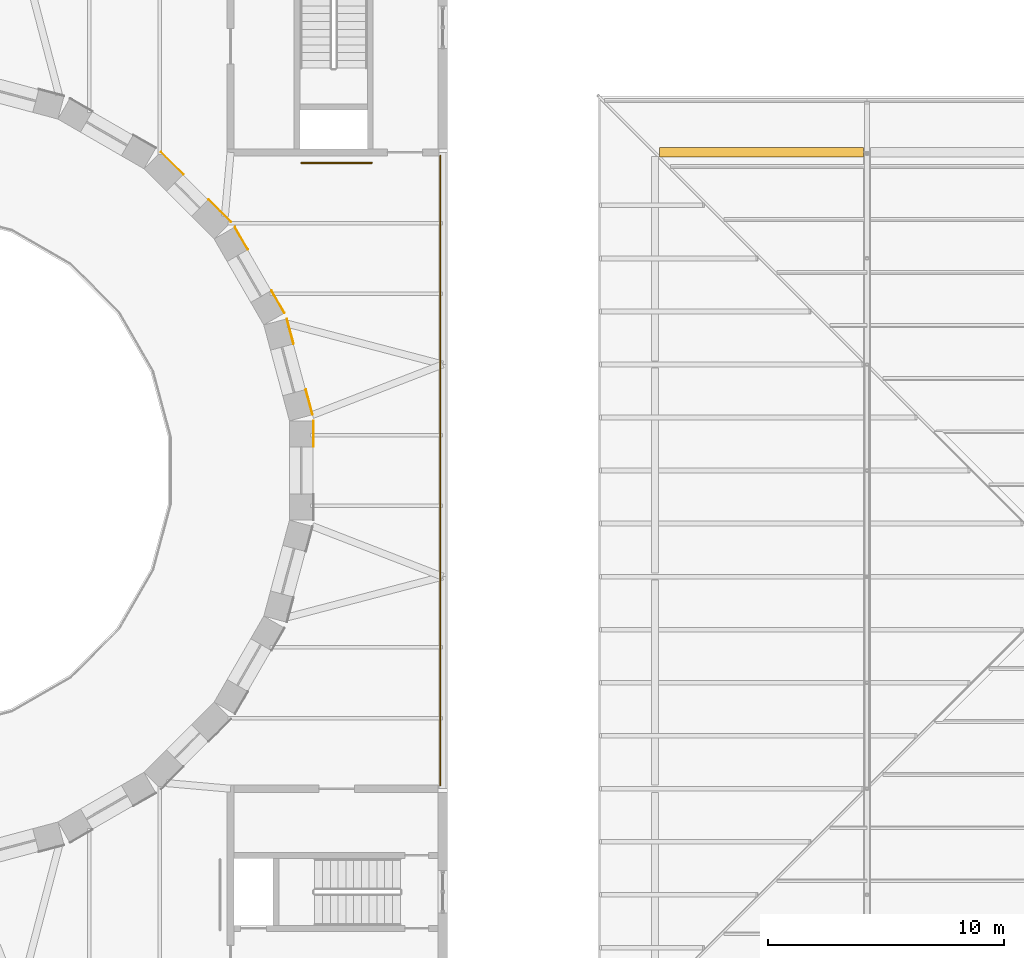
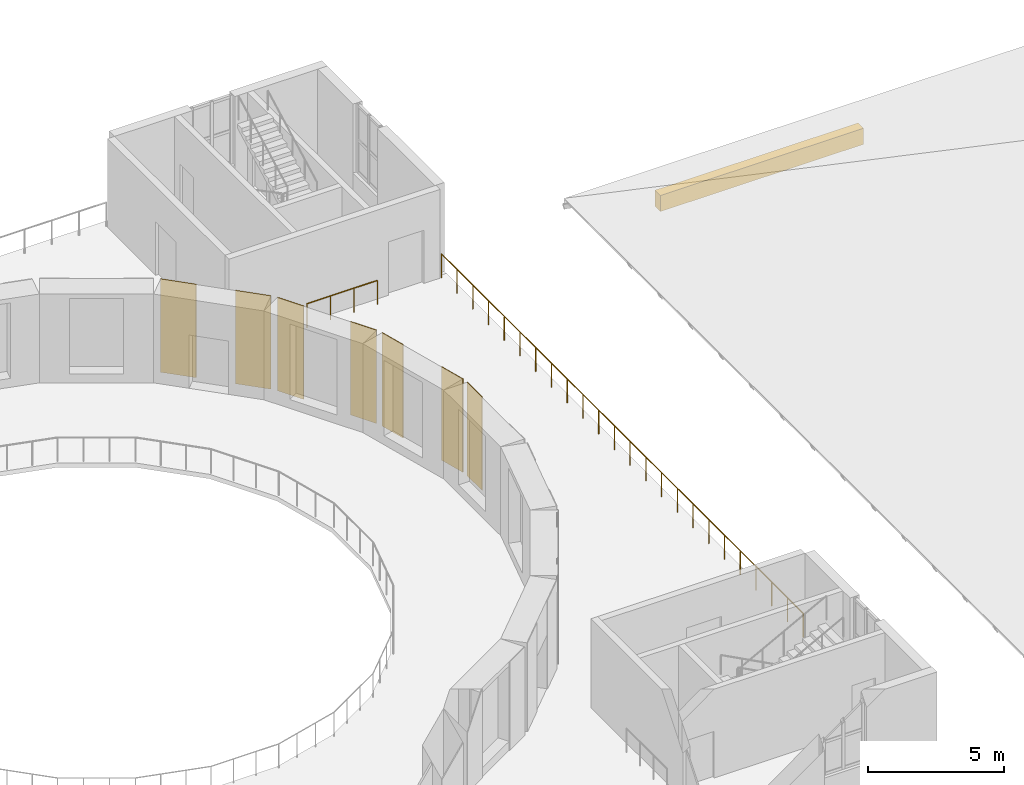
# One storey, part 151 of 154: 8 coverings, 2 railings.
"""IFC4 building model written with IfcOpenShell, lengths in metres."""

from ifc_helpers import new_model, si_unit, direction, frame, origin, origin_2d, place, context, subcontext, project, spatial, polyline, rectangle, circle, outline, extrude, material, layer, layer_set, type_object, element, save


model = new_model("IFC4")

# Units and contexts
model_context = context("Model", 3, precision=1e-05, world=origin(), true_north=direction((0.0, 1.0)))
body_context = subcontext(model_context, "Body", "Model", "MODEL_VIEW")
ifc_project = project(units=[si_unit("LENGTHUNIT", "METRE"), si_unit("AREAUNIT", "SQUARE_METRE"), si_unit("VOLUMEUNIT", "CUBIC_METRE"), si_unit("PLANEANGLEUNIT", "RADIAN"), si_unit("MASSUNIT", "GRAM", prefix="KILO")], contexts=[model_context])

# Site, building, storey
site_placement = place(None, origin())
site = spatial("IfcSite", under=ifc_project, at=site_placement, CompositionType="ELEMENT")
building_placement = place(site_placement, origin())
building = spatial("IfcBuilding", under=site, at=building_placement, Name="Golden Quay Civic Hall", CompositionType="ELEMENT")
storey_placement = place(building_placement, frame((0.0, 0.0, 14.39990234375)))
storey = spatial("IfcBuildingStorey", under=building, at=storey_placement, Name="L03", CompositionType="ELEMENT", Elevation=14.39990234375)

# Coverings
ifc_material_1 = material(Name="Brick, dark clay facing", Category="masonry")
covering_type_1 = type_object("IfcCoveringType", Name="Brick eaves frieze cladding 400", PredefinedType="CLADDING", material=ifc_material_1)
covering_1_placement = place(storey_placement, frame((0.0, 0.0, -0.25)))
element("IfcCovering", 1, at=covering_1_placement, inside=storey, type_object=covering_type_1, Name="Eaves frieze N1", PredefinedType="CLADDING", context=body_context, shape_type="SweptSolid", body=[
    extrude(outline(polyline([(117.199951171875, 98.800048828125), (125.85009765625, 98.800048828125), (125.85009765625, 99.199951171875), (117.199951171875, 99.199951171875), (117.199951171875, 98.800048828125)])), origin(), (0.0, 0.0, 1.0), 0.724609375),
])
ifc_material_2 = material(Name="Ceramic tile")
ifc_layer = layer(ifc_material_2, 0.030029296875)
ifc_layer_set = layer_set([ifc_layer], Name="Ceramic tile cladding, green glaze")
covering_type_2 = type_object("IfcCoveringType", Name="Ceramic tile cladding, green glaze", PredefinedType="CLADDING", material=ifc_layer_set)
for number, where, z_axis, x_axis, name in (
    (2, (102.337158203125, 88.403564453125, -0.19970703125), (0.0, 0.0, 1.0), (-0.258819045103, 0.965925826289, 0.0), "Drum cladding 1.1"),
    (3, (101.533203125, 91.404052734375, -0.19970703125), (0.0, 0.0, 1.0), (-0.258819045103, 0.965925826289, 0.0), "Drum cladding 1.2"),
    (4, (101.011962890625, 92.662353515625, -0.19970703125), (0.0, 0.0, 1.0), (-0.5, 0.866025403784, 0.0), "Drum cladding 2.1"),
    (5, (99.458740234375, 95.3525390625, -0.19970703125), (0.0, 0.0, 1.0), (-0.5, 0.866025403784, 0.0), "Drum cladding 2.2"),
):
    element("IfcCovering", number, at=place(storey_placement, frame(where, z_axis=z_axis, x_axis=x_axis)), inside=storey, type_object=covering_type_2, Name=name, PredefinedType="CLADDING", context=body_context, shape_type="SweptSolid", body=[
        extrude(rectangle(XDim=1.1064453125, YDim=0.030029296875, at=origin_2d()), origin(), (0.0, 0.0, 1.0), 4.199951171875),
    ])
for number, where, z_axis, x_axis, name in (
    (6, (98.541259765625, 96.521484375, -0.19970703125), (0.0, 0.0, 1.0), (-0.707106781187, 0.707106781187, 0.0), "Drum cladding 3.1"),
    (7, (96.521484375, 98.541259765625, -0.19970703125), (0.0, 0.0, 1.0), (-0.707106781187, 0.707106781187, 0.0), "Drum cladding 3.2"),
):
    element("IfcCovering", number, at=place(storey_placement, frame(where, z_axis=z_axis, x_axis=x_axis)), inside=storey, type_object=covering_type_2, Name=name, PredefinedType="CLADDING", context=body_context, shape_type="SweptSolid", body=[
        extrude(rectangle(XDim=1.3564453125, YDim=0.030029296875, at=origin_2d()), origin(), (0.0, 0.0, 1.0), 4.199951171875),
    ])
covering_2_placement = place(storey_placement, frame((102.514892578125, 87.05322265625, -0.19970703125), z_axis=(0.0, 0.0, 1.0), x_axis=(0.0, 1.0, 0.0)))
element("IfcCovering", 8, at=covering_2_placement, inside=storey, type_object=covering_type_2, Name="Drum cladding 24.2", PredefinedType="CLADDING", context=body_context, shape_type="SweptSolid", body=[
    extrude(rectangle(XDim=1.1064453125, YDim=0.030029296875, at=origin_2d()), origin(), (0.0, 0.0, 1.0), 4.199951171875),
])

# Railings
ifc_material_3 = material(Name="Steel S355", Category="steel")
railing_type = type_object("IfcRailingType", Name="Steel guard 1100 terrace", PredefinedType="GUARDRAIL", material=ifc_material_3)
railing_1_placement = place(storey_placement, frame((107.89990234375, 72.14990234375, 0.0)))
element("IfcRailing", 9, at=railing_1_placement, inside=storey, type_object=railing_type, Name="Terrace guard 4", PredefinedType="GUARDRAIL", context=body_context, shape_type="SweptSolid", body=[
    extrude(circle(Radius=0.02392578125, at=origin_2d()), frame((0.0, 0.0, 1.076171875), z_axis=(0.0, 1.0, 0.0), x_axis=(-1.0, 0.0, 0.0)), (0.0, 0.0, 1.0), 26.7001953125),
    extrude(circle(Radius=0.02099609375, at=origin_2d()), origin(), (0.0, 0.0, 1.0), 1.052001953125),
    extrude(circle(Radius=0.02099609375, at=origin_2d()), frame((0.0, 1.160888671875, 0.0)), (0.0, 0.0, 1.0), 1.052001953125),
    extrude(circle(Radius=0.02099609375, at=origin_2d()), frame((0.0, 2.32177734375, 0.0)), (0.0, 0.0, 1.0), 1.052001953125),
    extrude(circle(Radius=0.02099609375, at=origin_2d()), frame((0.0, 3.482666015625, 0.0)), (0.0, 0.0, 1.0), 1.052001953125),
    extrude(circle(Radius=0.02099609375, at=origin_2d()), frame((0.0, 4.6435546875, 0.0)), (0.0, 0.0, 1.0), 1.052001953125),
    extrude(circle(Radius=0.02099609375, at=origin_2d()), frame((0.0, 5.804443359375, 0.0)), (0.0, 0.0, 1.0), 1.052001953125),
    extrude(circle(Radius=0.02099609375, at=origin_2d()), frame((0.0, 6.96533203125, 0.0)), (0.0, 0.0, 1.0), 1.052001953125),
    extrude(circle(Radius=0.02099609375, at=origin_2d()), frame((0.0, 8.126220703125, 0.0)), (0.0, 0.0, 1.0), 1.052001953125),
    extrude(circle(Radius=0.02099609375, at=origin_2d()), frame((0.0, 9.287109375, 0.0)), (0.0, 0.0, 1.0), 1.052001953125),
    extrude(circle(Radius=0.02099609375, at=origin_2d()), frame((0.0, 10.447998046875, 0.0)), (0.0, 0.0, 1.0), 1.052001953125),
    extrude(circle(Radius=0.02099609375, at=origin_2d()), frame((0.0, 11.60888671875, 0.0)), (0.0, 0.0, 1.0), 1.052001953125),
    extrude(circle(Radius=0.02099609375, at=origin_2d()), frame((0.0, 12.769775390625, 0.0)), (0.0, 0.0, 1.0), 1.052001953125),
    extrude(circle(Radius=0.02099609375, at=origin_2d()), frame((0.0, 13.930419921875, 0.0)), (0.0, 0.0, 1.0), 1.052001953125),
    extrude(circle(Radius=0.02099609375, at=origin_2d()), frame((0.0, 15.09130859375, 0.0)), (0.0, 0.0, 1.0), 1.052001953125),
    extrude(circle(Radius=0.02099609375, at=origin_2d()), frame((0.0, 16.252197265625, 0.0)), (0.0, 0.0, 1.0), 1.052001953125),
    extrude(circle(Radius=0.02099609375, at=origin_2d()), frame((0.0, 17.4130859375, 0.0)), (0.0, 0.0, 1.0), 1.052001953125),
    extrude(circle(Radius=0.02099609375, at=origin_2d()), frame((0.0, 18.573974609375, 0.0)), (0.0, 0.0, 1.0), 1.052001953125),
    extrude(circle(Radius=0.02099609375, at=origin_2d()), frame((0.0, 19.73486328125, 0.0)), (0.0, 0.0, 1.0), 1.052001953125),
    extrude(circle(Radius=0.02099609375, at=origin_2d()), frame((0.0, 20.895751953125, 0.0)), (0.0, 0.0, 1.0), 1.052001953125),
    extrude(circle(Radius=0.02099609375, at=origin_2d()), frame((0.0, 22.056640625, 0.0)), (0.0, 0.0, 1.0), 1.052001953125),
    extrude(circle(Radius=0.02099609375, at=origin_2d()), frame((0.0, 23.217529296875, 0.0)), (0.0, 0.0, 1.0), 1.052001953125),
    extrude(circle(Radius=0.02099609375, at=origin_2d()), frame((0.0, 24.37841796875, 0.0)), (0.0, 0.0, 1.0), 1.052001953125),
    extrude(circle(Radius=0.02099609375, at=origin_2d()), frame((0.0, 25.539306640625, 0.0)), (0.0, 0.0, 1.0), 1.052001953125),
    extrude(circle(Radius=0.02099609375, at=origin_2d()), frame((0.0, 26.7001953125, 0.0)), (0.0, 0.0, 1.0), 1.052001953125),
])
railing_2_placement = place(storey_placement, frame((105.0, 98.550048828125, 0.0)))
element("IfcRailing", 10, at=railing_2_placement, inside=storey, type_object=railing_type, Name="Pocket guard NE", PredefinedType="GUARDRAIL", context=body_context, shape_type="SweptSolid", body=[
    extrude(circle(Radius=0.02392578125, at=origin_2d()), frame((0.0, 0.0, 1.076171875), z_axis=(-1.0, 0.0, 0.0), x_axis=(0.0, -1.0, 0.0)), (0.0, 0.0, 1.0), 3.0),
    extrude(circle(Radius=0.02099609375, at=origin_2d()), origin(), (0.0, 0.0, 1.0), 1.052001953125),
    extrude(circle(Radius=0.02099609375, at=origin_2d()), frame((-1.0, 0.0, 0.0)), (0.0, 0.0, 1.0), 1.052001953125),
    extrude(circle(Radius=0.02099609375, at=origin_2d()), frame((-2.0, 0.0, 0.0)), (0.0, 0.0, 1.0), 1.052001953125),
    extrude(circle(Radius=0.02099609375, at=origin_2d()), frame((-3.0, 0.0, 0.0)), (0.0, 0.0, 1.0), 1.052001953125),
])

save(model, "model.ifc")
